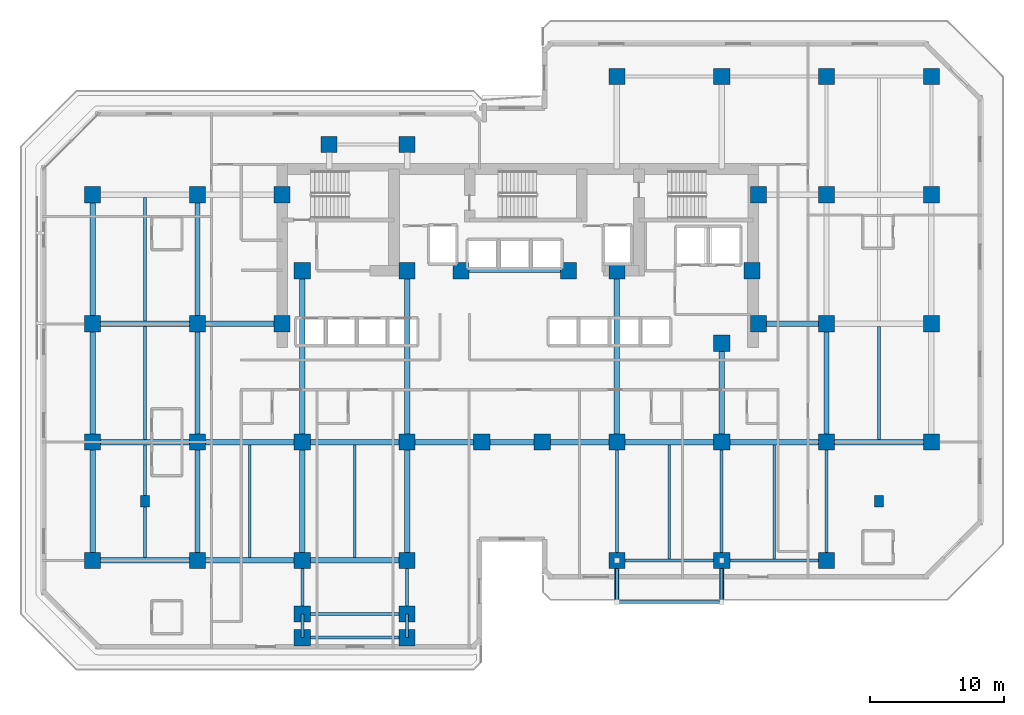
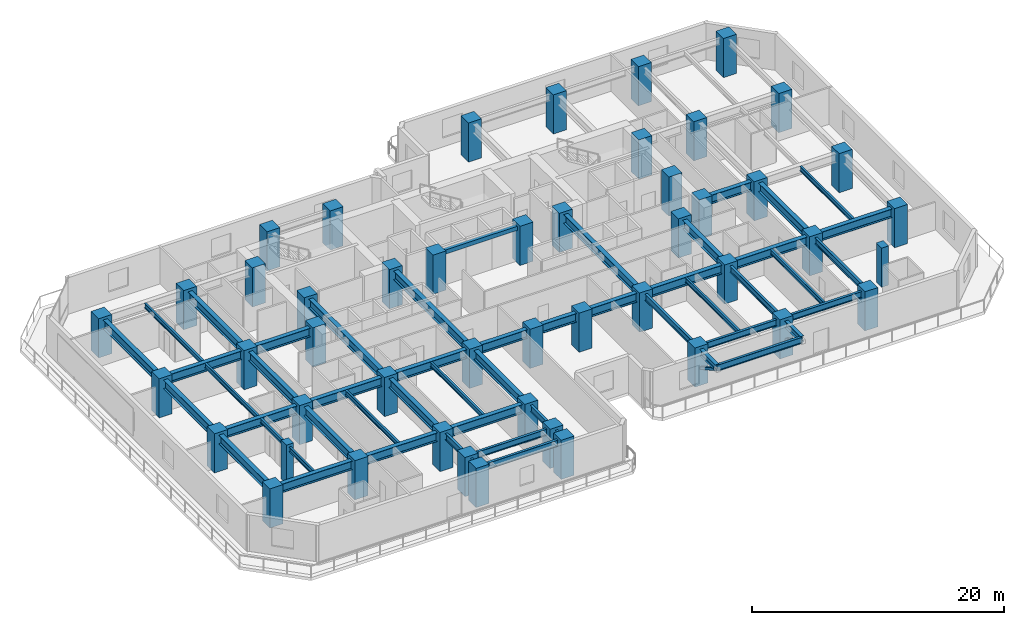
# One storey, part 1 of 12: 51 beams, 48 columns, 2 members.
"""IFC4 building model written with IfcOpenShell, lengths in metres."""

from ifc_helpers import new_model, si_unit, direction, frame, origin, origin_2d, place, context, subcontext, project, spatial, rectangle, hollow_rectangle, i_section, extrude, material, material_profile, profile_set, type_object, element, save


model = new_model("IFC4")

# Units and contexts
model_context = context("Model", 3, precision=1e-05, world=origin(), true_north=direction((0.0, 1.0)))
body_context = subcontext(model_context, "Body", "Model", "MODEL_VIEW")
ifc_project = project(units=[si_unit("LENGTHUNIT", "METRE"), si_unit("AREAUNIT", "SQUARE_METRE"), si_unit("VOLUMEUNIT", "CUBIC_METRE"), si_unit("PLANEANGLEUNIT", "RADIAN"), si_unit("MASSUNIT", "GRAM", prefix="KILO")], contexts=[model_context])

# Site, building, storey
site_placement = place(None, origin())
site = spatial("IfcSite", under=ifc_project, at=site_placement, CompositionType="ELEMENT")
building_placement = place(site_placement, origin())
building = spatial("IfcBuilding", under=site, at=building_placement, Name="Kestravale Grand Hotel", CompositionType="ELEMENT")
storey_placement = place(building_placement, frame((0.0, 0.0, 80.39990234375)))
storey = spatial("IfcBuildingStorey", under=building, at=storey_placement, Name="L19", CompositionType="ELEMENT", Elevation=80.39990234375)

# Columns
ifc_material_1 = material(Name="Precast concrete f'c 45 MPa", Category="concrete")
ifc_material_profile_1 = material_profile(ifc_material_1, rectangle(XDim=0.64990234375, YDim=0.85009765625, at=origin_2d()))
ifc_profile_set_1 = profile_set([ifc_material_profile_1], Name="Precast concrete f'c 45 MPa")
column_type_1 = type_object("IfcColumnType", Name="C-Z1-PIL850", PredefinedType="PILASTER", material=ifc_profile_set_1)
for number, where, z_axis, x_axis, name in (
    (1, (11.699951171875, 15.60009765625, 0.0), (0.0, 0.0, 1.0), (1.0, 0.0, 0.0), "L19 Art Deco fluted pilaster P1"),
    (2, (66.300048828125, 15.60009765625, 0.0), (0.0, 0.0, 1.0), (1.0, 0.0, 0.0), "L19 Art Deco fluted pilaster P2"),
):
    element("IfcColumn", number, at=place(storey_placement, frame(where, z_axis=z_axis, x_axis=x_axis)), inside=storey, type_object=column_type_1, Name=name, PredefinedType="PILASTER", context=body_context, shape_type="SweptSolid", body=[
        extrude(rectangle(XDim=0.64990234375, YDim=0.85009765625, at=origin_2d()), origin(), (0.0, 0.0, 1.0), 3.800048828125),
    ])
ifc_material_2 = material(Name="Concrete f'c 60 MPa", Category="concrete")
ifc_material_profile_2 = material_profile(ifc_material_2, rectangle(XDim=1.199951171875, YDim=1.199951171875, at=origin_2d()))
ifc_profile_set_2 = profile_set([ifc_material_profile_2], Name="Concrete f'c 60 MPa")
column_type_2 = type_object("IfcColumnType", Name="C-Z2-1200", PredefinedType="COLUMN", material=ifc_profile_set_2)
for number, where, z_axis, x_axis, name in (
    (3, (7.800048828125, 11.199951171875, 0.0), (0.0, 0.0, 1.0), (1.0, 0.0, 0.0), "L19 column 2-C"),
    (4, (7.800048828125, 20.0, 0.0), (0.0, 0.0, 1.0), (1.0, 0.0, 0.0), "L19 column 2-D"),
    (5, (7.800048828125, 28.800048828125, 0.0), (0.0, 0.0, 1.0), (1.0, 0.0, 0.0), "L19 column 2-E"),
    (6, (7.800048828125, 38.39990234375, 0.0), (0.0, 0.0, 1.0), (1.0, 0.0, 0.0), "L19 column 2-F"),
    (7, (15.60009765625, 11.199951171875, 0.0), (0.0, 0.0, 1.0), (1.0, 0.0, 0.0), "L19 column 3-C"),
    (8, (15.60009765625, 20.0, 0.0), (0.0, 0.0, 1.0), (1.0, 0.0, 0.0), "L19 column 3-D"),
    (9, (15.60009765625, 28.800048828125, 0.0), (0.0, 0.0, 1.0), (1.0, 0.0, 0.0), "L19 column 3-E"),
    (10, (15.60009765625, 38.39990234375, 0.0), (0.0, 0.0, 1.0), (1.0, 0.0, 0.0), "L19 column 3-F"),
    (11, (23.39990234375, 11.199951171875, 0.0), (0.0, 0.0, 1.0), (1.0, 0.0, 0.0), "L19 column 4-C"),
    (12, (23.39990234375, 20.0, 0.0), (0.0, 0.0, 1.0), (1.0, 0.0, 0.0), "L19 column 4-D"),
    (13, (31.199951171875, 11.199951171875, 0.0), (0.0, 0.0, 1.0), (1.0, 0.0, 0.0), "L19 column 5-C"),
    (14, (31.199951171875, 20.0, 0.0), (0.0, 0.0, 1.0), (1.0, 0.0, 0.0), "L19 column 5-D"),
    (15, (36.75, 20.0, 0.0), (0.0, 0.0, 1.0), (1.0, 0.0, 0.0), "L19 column 6-D"),
    (16, (41.25, 20.0, 0.0), (0.0, 0.0, 1.0), (1.0, 0.0, 0.0), "L19 column 7-D"),
    (17, (46.800048828125, 11.199951171875, 0.0), (0.0, 0.0, 1.0), (1.0, 0.0, 0.0), "L19 column 8-C"),
    (18, (46.800048828125, 20.0, 0.0), (0.0, 0.0, 1.0), (1.0, 0.0, 0.0), "L19 column 8-D"),
    (19, (46.800048828125, 47.199951171875, 0.0), (0.0, 0.0, 1.0), (1.0, 0.0, 0.0), "L19 column 8-G"),
    (20, (54.60009765625, 11.199951171875, 0.0), (0.0, 0.0, 1.0), (1.0, 0.0, 0.0), "L19 column 9-C"),
    (21, (54.60009765625, 20.0, 0.0), (0.0, 0.0, 1.0), (1.0, 0.0, 0.0), "L19 column 9-D"),
    (22, (54.60009765625, 47.199951171875, 0.0), (0.0, 0.0, 1.0), (1.0, 0.0, 0.0), "L19 column 9-G"),
    (23, (62.39990234375, 11.199951171875, 0.0), (0.0, 0.0, 1.0), (1.0, 0.0, 0.0), "L19 column 10-C"),
    (24, (62.39990234375, 20.0, 0.0), (0.0, 0.0, 1.0), (1.0, 0.0, 0.0), "L19 column 10-D"),
    (25, (62.39990234375, 28.800048828125, 0.0), (0.0, 0.0, 1.0), (1.0, 0.0, 0.0), "L19 column 10-E"),
    (26, (62.39990234375, 38.39990234375, 0.0), (0.0, 0.0, 1.0), (1.0, 0.0, 0.0), "L19 column 10-F"),
    (27, (62.39990234375, 47.199951171875, 0.0), (0.0, 0.0, 1.0), (1.0, 0.0, 0.0), "L19 column 10-G"),
    (28, (70.199951171875, 20.0, 0.0), (0.0, 0.0, 1.0), (1.0, 0.0, 0.0), "L19 column 11-D"),
    (29, (70.199951171875, 28.800048828125, 0.0), (0.0, 0.0, 1.0), (1.0, 0.0, 0.0), "L19 column 11-E"),
    (30, (70.199951171875, 38.39990234375, 0.0), (0.0, 0.0, 1.0), (1.0, 0.0, 0.0), "L19 column 11-F"),
    (31, (70.199951171875, 47.199951171875, 0.0), (0.0, 0.0, 1.0), (1.0, 0.0, 0.0), "L19 column 11-G"),
    (32, (21.89990234375, 28.800048828125, 0.0), (0.0, 0.0, 1.0), (1.0, 0.0, 0.0), "L19 column CW-E"),
    (33, (21.89990234375, 38.39990234375, 0.0), (0.0, 0.0, 1.0), (1.0, 0.0, 0.0), "L19 column CW-F"),
    (34, (57.35009765625, 28.800048828125, 0.0), (0.0, 0.0, 1.0), (1.0, 0.0, 0.0), "L19 column CE-E"),
    (35, (57.35009765625, 38.39990234375, 0.0), (0.0, 0.0, 1.0), (1.0, 0.0, 0.0), "L19 column CE-F"),
    (36, (23.39990234375, 32.75, 0.0), (0.0, 0.0, 1.0), (1.0, 0.0, 0.0), "L19 column 4-CS"),
    (37, (31.199951171875, 32.75, 0.0), (0.0, 0.0, 1.0), (1.0, 0.0, 0.0), "L19 column 5-CS"),
    (38, (35.199951171875, 32.75, 0.0), (0.0, 0.0, 1.0), (1.0, 0.0, 0.0), "L19 column 6C-CS"),
    (39, (43.199951171875, 32.75, 0.0), (0.0, 0.0, 1.0), (1.0, 0.0, 0.0), "L19 column 7C-CS"),
    (40, (46.800048828125, 32.75, 0.0), (0.0, 0.0, 1.0), (1.0, 0.0, 0.0), "L19 column 8-CS"),
    (41, (54.60009765625, 27.35009765625, 0.0), (0.0, 0.0, 1.0), (1.0, 0.0, 0.0), "L19 column 9-CS"),
    (42, (56.85009765625, 32.75, 0.0), (0.0, 0.0, 1.0), (1.0, 0.0, 0.0), "L19 column 9C-CS"),
    (43, (23.39990234375, 7.199951171875, 0.0), (0.0, 0.0, 1.0), (1.0, 0.0, 0.0), "L19 column 4-BS"),
    (44, (31.199951171875, 7.199951171875, 0.0), (0.0, 0.0, 1.0), (1.0, 0.0, 0.0), "L19 column 5-BS"),
    (45, (25.39990234375, 42.14990234375, 0.0), (0.0, 0.0, 1.0), (1.0, 0.0, 0.0), "L19 column 4-FN"),
    (46, (31.199951171875, 42.14990234375, 0.0), (0.0, 0.0, 1.0), (1.0, 0.0, 0.0), "L19 column 5-FN"),
    (47, (23.39990234375, 5.449951171875, 0.0), (0.0, 0.0, 1.0), (1.0, 0.0, 0.0), "L19 column 4-B1S"),
    (48, (31.199951171875, 5.449951171875, 0.0), (0.0, 0.0, 1.0), (1.0, 0.0, 0.0), "L19 column 5-B1S"),
):
    element("IfcColumn", number, at=place(storey_placement, frame(where, z_axis=z_axis, x_axis=x_axis)), inside=storey, type_object=column_type_2, Name=name, PredefinedType="COLUMN", context=body_context, shape_type="SweptSolid", body=[
        extrude(rectangle(XDim=1.199951171875, YDim=1.199951171875, at=origin_2d()), origin(), (0.0, 0.0, 1.0), 3.800048828125),
    ])

# Beams
ifc_material_3 = material(Name="Steel ASTM A992 Grade 50", Category="steel")
ifc_material_profile_3 = material_profile(ifc_material_3, i_section(OverallWidth=0.19091796875, OverallDepth=0.45703125, WebThickness=0.009033203125, FlangeThickness=0.014404296875, FilletRadius=0.015380859375, at=origin_2d()))
ifc_profile_set_3 = profile_set([ifc_material_profile_3], Name="Steel ASTM A992 Grade 50")
beam_type_1 = type_object("IfcBeamType", Name="B-FLR-JST18", PredefinedType="JOIST", material=ifc_profile_set_3)
for number, where, z_axis, x_axis, name in (
    (49, (11.699951171875, 11.400390625, 3.3115234375), (0.0, 1.0, 0.0), (-1.0, 0.0, 0.0), "L19 floor joist 2-3/C-D #1"),
    (50, (11.699951171875, 20.200439453125, 3.3115234375), (0.0, 1.0, 0.0), (-1.0, 0.0, 0.0), "L19 floor joist 2-3/D-E #1"),
):
    element("IfcBeam", number, at=place(storey_placement, frame(where, z_axis=z_axis, x_axis=x_axis)), inside=storey, type_object=beam_type_1, Name=name, PredefinedType="JOIST", context=body_context, shape_type="SweptSolid", body=[
        extrude(i_section(OverallWidth=0.19091796875, OverallDepth=0.45703125, WebThickness=0.009033203125, FlangeThickness=0.014404296875, FilletRadius=0.015380859375, at=origin_2d()), origin(), (0.0, 0.0, 1.0), 8.399169921875),
    ])
beam_1_placement = place(storey_placement, frame((11.699951171875, 29.00048828125, 3.3115234375), z_axis=(0.0, 1.0, 0.0), x_axis=(-1.0, 0.0, 0.0)))
element("IfcBeam", 51, at=beam_1_placement, inside=storey, type_object=beam_type_1, Name="L19 floor joist 2-3/E-F #1", PredefinedType="JOIST", context=body_context, shape_type="SweptSolid", body=[
    extrude(i_section(OverallWidth=0.19091796875, OverallDepth=0.45703125, WebThickness=0.009033203125, FlangeThickness=0.014404296875, FilletRadius=0.015380859375, at=origin_2d()), origin(), (0.0, 0.0, 1.0), 9.198974609375),
])
for number, where, z_axis, x_axis, name in (
    (52, (19.5, 11.400390625, 3.3115234375), (0.0, 1.0, 0.0), (-1.0, 0.0, 0.0), "L19 floor joist 3-4/C-D #1"),
    (53, (27.300048828125, 11.400390625, 3.3115234375), (0.0, 1.0, 0.0), (-1.0, 0.0, 0.0), "L19 floor joist 4-5/C-D #1"),
):
    element("IfcBeam", number, at=place(storey_placement, frame(where, z_axis=z_axis, x_axis=x_axis)), inside=storey, type_object=beam_type_1, Name=name, PredefinedType="JOIST", context=body_context, shape_type="SweptSolid", body=[
        extrude(i_section(OverallWidth=0.19091796875, OverallDepth=0.45703125, WebThickness=0.009033203125, FlangeThickness=0.014404296875, FilletRadius=0.015380859375, at=origin_2d()), origin(), (0.0, 0.0, 1.0), 8.399169921875),
    ])
for number, where, z_axis, x_axis, name in (
    (54, (50.699951171875, 11.314453125, 3.3115234375), (0.0, 1.0, 0.0), (-1.0, 0.0, 0.0), "L19 floor joist 8-9/C-D #1"),
    (55, (58.5, 11.314453125, 3.3115234375), (0.0, 1.0, 0.0), (-1.0, 0.0, 0.0), "L19 floor joist 9-10/C-D #1"),
):
    element("IfcBeam", number, at=place(storey_placement, frame(where, z_axis=z_axis, x_axis=x_axis)), inside=storey, type_object=beam_type_1, Name=name, PredefinedType="JOIST", context=body_context, shape_type="SweptSolid", body=[
        extrude(i_section(OverallWidth=0.19091796875, OverallDepth=0.45703125, WebThickness=0.009033203125, FlangeThickness=0.014404296875, FilletRadius=0.015380859375, at=origin_2d()), origin(), (0.0, 0.0, 1.0), 8.485107421875),
    ])
beam_2_placement = place(storey_placement, frame((66.300048828125, 20.200439453125, 3.3115234375), z_axis=(0.0, 1.0, 0.0), x_axis=(-1.0, 0.0, 0.0)))
element("IfcBeam", 56, at=beam_2_placement, inside=storey, type_object=beam_type_1, Name="L19 floor joist 10-11/D-E #1", PredefinedType="JOIST", context=body_context, shape_type="SweptSolid", body=[
    extrude(i_section(OverallWidth=0.19091796875, OverallDepth=0.45703125, WebThickness=0.009033203125, FlangeThickness=0.014404296875, FilletRadius=0.015380859375, at=origin_2d()), origin(), (0.0, 0.0, 1.0), 8.399169921875),
])
ifc_material_4 = material(Name="Concrete f'c 45 MPa", Category="concrete")
ifc_material_profile_4 = material_profile(ifc_material_4, rectangle(XDim=0.300048828125, YDim=0.39990234375, at=origin_2d()))
ifc_profile_set_4 = profile_set([ifc_material_profile_4], Name="Concrete f'c 45 MPa")
beam_type_2 = type_object("IfcBeamType", Name="B-FLR-LNT400", PredefinedType="LINTEL", material=ifc_profile_set_4)
beam_3_placement = place(storey_placement, frame((35.199951171875, 32.75, 3.340087890625), z_axis=(1.0, 0.0, 0.0), x_axis=(0.0, 1.0, 0.0)))
element("IfcBeam", 57, at=beam_3_placement, inside=storey, type_object=beam_type_2, Name="L19 core portal header lintel", PredefinedType="LINTEL", context=body_context, shape_type="SweptSolid", body=[
    extrude(rectangle(XDim=0.300048828125, YDim=0.39990234375, at=origin_2d()), origin(), (0.0, 0.0, 1.0), 8.0),
])
ifc_material_5 = material(Name="Steel ASTM A992 Grade 50", Category="steel")
ifc_material_profile_5 = material_profile(ifc_material_5, i_section(OverallWidth=0.324951171875, OverallDepth=0.612060546875, WebThickness=0.0126953125, FlangeThickness=0.01904296875, FilletRadius=0.018798828125, at=origin_2d()))
ifc_profile_set_5 = profile_set([ifc_material_profile_5], Name="Steel ASTM A992 Grade 50")
beam_type_3 = type_object("IfcBeamType", Name="B-FLR-W24A", PredefinedType="SPANDREL", material=ifc_profile_set_5)
for number, where, z_axis, x_axis, name in (
    (58, (46.800048828125, 11.199951171875, 3.22412109375), (0.0, -1.0, 0.0), (1.0, 0.0, 0.0), "L20 terrace cantilever beam 1"),
    (59, (54.60009765625, 11.199951171875, 3.22412109375), (0.0, -1.0, 0.0), (1.0, 0.0, 0.0), "L20 terrace cantilever beam 2"),
):
    element("IfcBeam", number, at=place(storey_placement, frame(where, z_axis=z_axis, x_axis=x_axis)), inside=storey, type_object=beam_type_3, Name=name, PredefinedType="SPANDREL", context=body_context, shape_type="SweptSolid", body=[
        extrude(i_section(OverallWidth=0.324951171875, OverallDepth=0.612060546875, WebThickness=0.0126953125, FlangeThickness=0.01904296875, FilletRadius=0.018798828125, at=origin_2d()), origin(), (0.0, 0.0, 1.0), 3.099853515625),
    ])
ifc_material_6 = material(Name="Steel ASTM A992 Grade 50", Category="steel")
ifc_material_profile_6 = material_profile(ifc_material_6, i_section(OverallWidth=0.22900390625, OverallDepth=0.612060546875, WebThickness=0.011962890625, FlangeThickness=0.01953125, FilletRadius=0.019287109375, at=origin_2d()))
ifc_profile_set_6 = profile_set([ifc_material_profile_6], Name="Steel ASTM A992 Grade 50")
beam_type_4 = type_object("IfcBeamType", Name="B-FLR-W24B", PredefinedType="SPANDREL", material=ifc_profile_set_6)
beam_4_placement = place(storey_placement, frame((46.800048828125, 11.199951171875, 3.234130859375), z_axis=(1.0, 0.0, 0.0), x_axis=(0.0, 1.0, 0.0)))
element("IfcBeam", 60, at=beam_4_placement, inside=storey, type_object=beam_type_4, Name="L19 spandrel C:8-9", PredefinedType="SPANDREL", context=body_context, shape_type="SweptSolid", body=[
    extrude(i_section(OverallWidth=0.22900390625, OverallDepth=0.612060546875, WebThickness=0.011962890625, FlangeThickness=0.01953125, FilletRadius=0.019287109375, at=origin_2d()), origin(), (0.0, 0.0, 1.0), 7.800048828125),
])
beam_5_placement = place(storey_placement, frame((54.60009765625, 11.199951171875, 3.234130859375), z_axis=(1.0, 0.0, 0.0), x_axis=(0.0, 1.0, 0.0)))
element("IfcBeam", 61, at=beam_5_placement, inside=storey, type_object=beam_type_4, Name="L19 spandrel C:9-10", PredefinedType="SPANDREL", context=body_context, shape_type="SweptSolid", body=[
    extrude(i_section(OverallWidth=0.22900390625, OverallDepth=0.612060546875, WebThickness=0.011962890625, FlangeThickness=0.01953125, FilletRadius=0.019287109375, at=origin_2d()), origin(), (0.0, 0.0, 1.0), 7.7998046875),
])
for number, where, z_axis, x_axis, name in (
    (62, (23.39990234375, 5.449951171875, 3.234130859375), (1.0, 0.0, 0.0), (0.0, 1.0, 0.0), "L19 perimeter tie spandrel B1S:4-5"),
    (63, (23.39990234375, 7.199951171875, 3.234130859375), (1.0, 0.0, 0.0), (0.0, 1.0, 0.0), "L19 perimeter tie spandrel BS:4-5"),
):
    element("IfcBeam", number, at=place(storey_placement, frame(where, z_axis=z_axis, x_axis=x_axis)), inside=storey, type_object=beam_type_4, Name=name, PredefinedType="SPANDREL", context=body_context, shape_type="SweptSolid", body=[
        extrude(i_section(OverallWidth=0.22900390625, OverallDepth=0.612060546875, WebThickness=0.011962890625, FlangeThickness=0.01953125, FilletRadius=0.019287109375, at=origin_2d()), origin(), (0.0, 0.0, 1.0), 7.800048828125),
    ])
beam_6_placement = place(storey_placement, frame((23.39990234375, 5.449951171875, 3.234130859375), z_axis=(0.0, 1.0, 0.0), x_axis=(-1.0, 0.0, 0.0)))
element("IfcBeam", 64, at=beam_6_placement, inside=storey, type_object=beam_type_4, Name="L19 spandrel 4:B1S-BS", PredefinedType="SPANDREL", context=body_context, shape_type="SweptSolid", body=[
    extrude(i_section(OverallWidth=0.22900390625, OverallDepth=0.612060546875, WebThickness=0.011962890625, FlangeThickness=0.01953125, FilletRadius=0.019287109375, at=origin_2d()), origin(), (0.0, 0.0, 1.0), 1.75),
])
beam_7_placement = place(storey_placement, frame((23.39990234375, 7.199951171875, 3.234130859375), z_axis=(0.0, 1.0, 0.0), x_axis=(-1.0, 0.0, 0.0)))
element("IfcBeam", 65, at=beam_7_placement, inside=storey, type_object=beam_type_4, Name="L19 spandrel 4:BS-C", PredefinedType="SPANDREL", context=body_context, shape_type="SweptSolid", body=[
    extrude(i_section(OverallWidth=0.22900390625, OverallDepth=0.612060546875, WebThickness=0.011962890625, FlangeThickness=0.01953125, FilletRadius=0.019287109375, at=origin_2d()), origin(), (0.0, 0.0, 1.0), 4.0),
])
beam_8_placement = place(storey_placement, frame((31.199951171875, 5.449951171875, 3.234130859375), z_axis=(0.0, 1.0, 0.0), x_axis=(-1.0, 0.0, 0.0)))
element("IfcBeam", 66, at=beam_8_placement, inside=storey, type_object=beam_type_4, Name="L19 spandrel 5:B1S-BS", PredefinedType="SPANDREL", context=body_context, shape_type="SweptSolid", body=[
    extrude(i_section(OverallWidth=0.22900390625, OverallDepth=0.612060546875, WebThickness=0.011962890625, FlangeThickness=0.01953125, FilletRadius=0.019287109375, at=origin_2d()), origin(), (0.0, 0.0, 1.0), 1.75),
])
beam_9_placement = place(storey_placement, frame((31.199951171875, 7.199951171875, 3.234130859375), z_axis=(0.0, 1.0, 0.0), x_axis=(-1.0, 0.0, 0.0)))
element("IfcBeam", 67, at=beam_9_placement, inside=storey, type_object=beam_type_4, Name="L19 spandrel 5:BS-C", PredefinedType="SPANDREL", context=body_context, shape_type="SweptSolid", body=[
    extrude(i_section(OverallWidth=0.22900390625, OverallDepth=0.612060546875, WebThickness=0.011962890625, FlangeThickness=0.01953125, FilletRadius=0.019287109375, at=origin_2d()), origin(), (0.0, 0.0, 1.0), 4.0),
])
for number, where, z_axis, x_axis, name in (
    (68, (46.800048828125, 11.199951171875, 3.234130859375), (0.0, 1.0, 0.0), (-1.0, 0.0, 0.0), "L19 spandrel 8:C-D"),
    (69, (54.60009765625, 11.199951171875, 3.234130859375), (0.0, 1.0, 0.0), (-1.0, 0.0, 0.0), "L19 spandrel 9:C-D"),
    (70, (62.39990234375, 11.199951171875, 3.234130859375), (0.0, 1.0, 0.0), (-1.0, 0.0, 0.0), "L19 spandrel 10:C-D"),
):
    element("IfcBeam", number, at=place(storey_placement, frame(where, z_axis=z_axis, x_axis=x_axis)), inside=storey, type_object=beam_type_4, Name=name, PredefinedType="SPANDREL", context=body_context, shape_type="SweptSolid", body=[
        extrude(i_section(OverallWidth=0.22900390625, OverallDepth=0.612060546875, WebThickness=0.011962890625, FlangeThickness=0.01953125, FilletRadius=0.019287109375, at=origin_2d()), origin(), (0.0, 0.0, 1.0), 8.800048828125),
    ])
beam_10_placement = place(storey_placement, frame((46.800048828125, 8.10009765625, 3.22412109375), z_axis=(1.0, 0.0, 0.0), x_axis=(0.0, 1.0, 0.0)))
element("IfcBeam", 71, at=beam_10_placement, inside=storey, type_object=beam_type_4, Name="L20 terrace edge spandrel", PredefinedType="SPANDREL", context=body_context, shape_type="SweptSolid", body=[
    extrude(i_section(OverallWidth=0.22900390625, OverallDepth=0.612060546875, WebThickness=0.011962890625, FlangeThickness=0.01953125, FilletRadius=0.019287109375, at=origin_2d()), origin(), (0.0, 0.0, 1.0), 7.800048828125),
])
ifc_material_7 = material(Name="Steel ASTM A992 Grade 50", Category="steel")
ifc_material_profile_7 = material_profile(ifc_material_7, i_section(OverallWidth=0.40087890625, OverallDepth=0.861083984375, WebThickness=0.019775390625, FlangeThickness=0.032470703125, FilletRadius=0.0234375, at=origin_2d()))
ifc_profile_set_7 = profile_set([ifc_material_profile_7], Name="Steel ASTM A992 Grade 50")
beam_type_5 = type_object("IfcBeamType", Name="B-GRD-W33", PredefinedType="BEAM", material=ifc_profile_set_7)
beam_11_placement = place(storey_placement, frame((7.800048828125, 11.199951171875, 3.109619140625), z_axis=(1.0, 0.0, 0.0), x_axis=(0.0, 1.0, 0.0)))
element("IfcBeam", 72, at=beam_11_placement, inside=storey, type_object=beam_type_5, Name="L19 girder C:2-3", PredefinedType="BEAM", context=body_context, shape_type="SweptSolid", body=[
    extrude(i_section(OverallWidth=0.40087890625, OverallDepth=0.861083984375, WebThickness=0.019775390625, FlangeThickness=0.032470703125, FilletRadius=0.0234375, at=origin_2d()), origin(), (0.0, 0.0, 1.0), 7.800048828125),
])
beam_12_placement = place(storey_placement, frame((15.60009765625, 11.199951171875, 3.109619140625), z_axis=(1.0, 0.0, 0.0), x_axis=(0.0, 1.0, 0.0)))
element("IfcBeam", 73, at=beam_12_placement, inside=storey, type_object=beam_type_5, Name="L19 girder C:3-4", PredefinedType="BEAM", context=body_context, shape_type="SweptSolid", body=[
    extrude(i_section(OverallWidth=0.40087890625, OverallDepth=0.861083984375, WebThickness=0.019775390625, FlangeThickness=0.032470703125, FilletRadius=0.0234375, at=origin_2d()), origin(), (0.0, 0.0, 1.0), 7.7998046875),
])
for number, where, z_axis, x_axis, name in (
    (74, (23.39990234375, 11.199951171875, 3.109619140625), (1.0, 0.0, 0.0), (0.0, 1.0, 0.0), "L19 girder C:4-5"),
    (75, (7.800048828125, 20.0, 3.109619140625), (1.0, 0.0, 0.0), (0.0, 1.0, 0.0), "L19 girder D:2-3"),
):
    element("IfcBeam", number, at=place(storey_placement, frame(where, z_axis=z_axis, x_axis=x_axis)), inside=storey, type_object=beam_type_5, Name=name, PredefinedType="BEAM", context=body_context, shape_type="SweptSolid", body=[
        extrude(i_section(OverallWidth=0.40087890625, OverallDepth=0.861083984375, WebThickness=0.019775390625, FlangeThickness=0.032470703125, FilletRadius=0.0234375, at=origin_2d()), origin(), (0.0, 0.0, 1.0), 7.800048828125),
    ])
beam_13_placement = place(storey_placement, frame((15.60009765625, 20.0, 3.109619140625), z_axis=(1.0, 0.0, 0.0), x_axis=(0.0, 1.0, 0.0)))
element("IfcBeam", 76, at=beam_13_placement, inside=storey, type_object=beam_type_5, Name="L19 girder D:3-4", PredefinedType="BEAM", context=body_context, shape_type="SweptSolid", body=[
    extrude(i_section(OverallWidth=0.40087890625, OverallDepth=0.861083984375, WebThickness=0.019775390625, FlangeThickness=0.032470703125, FilletRadius=0.0234375, at=origin_2d()), origin(), (0.0, 0.0, 1.0), 7.7998046875),
])
beam_14_placement = place(storey_placement, frame((23.39990234375, 20.0, 3.109619140625), z_axis=(1.0, 0.0, 0.0), x_axis=(0.0, 1.0, 0.0)))
element("IfcBeam", 77, at=beam_14_placement, inside=storey, type_object=beam_type_5, Name="L19 girder D:4-5", PredefinedType="BEAM", context=body_context, shape_type="SweptSolid", body=[
    extrude(i_section(OverallWidth=0.40087890625, OverallDepth=0.861083984375, WebThickness=0.019775390625, FlangeThickness=0.032470703125, FilletRadius=0.0234375, at=origin_2d()), origin(), (0.0, 0.0, 1.0), 7.800048828125),
])
beam_15_placement = place(storey_placement, frame((31.199951171875, 20.0, 3.109619140625), z_axis=(1.0, 0.0, 0.0), x_axis=(0.0, 1.0, 0.0)))
element("IfcBeam", 78, at=beam_15_placement, inside=storey, type_object=beam_type_5, Name="L19 girder D:5-6", PredefinedType="BEAM", context=body_context, shape_type="SweptSolid", body=[
    extrude(i_section(OverallWidth=0.40087890625, OverallDepth=0.861083984375, WebThickness=0.019775390625, FlangeThickness=0.032470703125, FilletRadius=0.0234375, at=origin_2d()), origin(), (0.0, 0.0, 1.0), 5.550048828125),
])
beam_16_placement = place(storey_placement, frame((36.75, 20.0, 3.109619140625), z_axis=(1.0, 0.0, 0.0), x_axis=(0.0, 1.0, 0.0)))
element("IfcBeam", 79, at=beam_16_placement, inside=storey, type_object=beam_type_5, Name="L19 girder D:6-7", PredefinedType="BEAM", context=body_context, shape_type="SweptSolid", body=[
    extrude(i_section(OverallWidth=0.40087890625, OverallDepth=0.861083984375, WebThickness=0.019775390625, FlangeThickness=0.032470703125, FilletRadius=0.0234375, at=origin_2d()), origin(), (0.0, 0.0, 1.0), 4.5),
])
beam_17_placement = place(storey_placement, frame((41.25, 20.0, 3.109619140625), z_axis=(1.0, 0.0, 0.0), x_axis=(0.0, 1.0, 0.0)))
element("IfcBeam", 80, at=beam_17_placement, inside=storey, type_object=beam_type_5, Name="L19 girder D:7-8", PredefinedType="BEAM", context=body_context, shape_type="SweptSolid", body=[
    extrude(i_section(OverallWidth=0.40087890625, OverallDepth=0.861083984375, WebThickness=0.019775390625, FlangeThickness=0.032470703125, FilletRadius=0.0234375, at=origin_2d()), origin(), (0.0, 0.0, 1.0), 5.550048828125),
])
beam_18_placement = place(storey_placement, frame((46.800048828125, 20.0, 3.109619140625), z_axis=(1.0, 0.0, 0.0), x_axis=(0.0, 1.0, 0.0)))
element("IfcBeam", 81, at=beam_18_placement, inside=storey, type_object=beam_type_5, Name="L19 girder D:8-9", PredefinedType="BEAM", context=body_context, shape_type="SweptSolid", body=[
    extrude(i_section(OverallWidth=0.40087890625, OverallDepth=0.861083984375, WebThickness=0.019775390625, FlangeThickness=0.032470703125, FilletRadius=0.0234375, at=origin_2d()), origin(), (0.0, 0.0, 1.0), 7.800048828125),
])
beam_19_placement = place(storey_placement, frame((54.60009765625, 20.0, 3.109619140625), z_axis=(1.0, 0.0, 0.0), x_axis=(0.0, 1.0, 0.0)))
element("IfcBeam", 82, at=beam_19_placement, inside=storey, type_object=beam_type_5, Name="L19 girder D:9-10", PredefinedType="BEAM", context=body_context, shape_type="SweptSolid", body=[
    extrude(i_section(OverallWidth=0.40087890625, OverallDepth=0.861083984375, WebThickness=0.019775390625, FlangeThickness=0.032470703125, FilletRadius=0.0234375, at=origin_2d()), origin(), (0.0, 0.0, 1.0), 7.7998046875),
])
for number, where, z_axis, x_axis, name in (
    (83, (62.39990234375, 20.0, 3.109619140625), (1.0, 0.0, 0.0), (0.0, 1.0, 0.0), "L19 girder D:10-11"),
    (84, (7.800048828125, 28.800048828125, 3.109619140625), (1.0, 0.0, 0.0), (0.0, 1.0, 0.0), "L19 girder E:2-3"),
):
    element("IfcBeam", number, at=place(storey_placement, frame(where, z_axis=z_axis, x_axis=x_axis)), inside=storey, type_object=beam_type_5, Name=name, PredefinedType="BEAM", context=body_context, shape_type="SweptSolid", body=[
        extrude(i_section(OverallWidth=0.40087890625, OverallDepth=0.861083984375, WebThickness=0.019775390625, FlangeThickness=0.032470703125, FilletRadius=0.0234375, at=origin_2d()), origin(), (0.0, 0.0, 1.0), 7.800048828125),
    ])
beam_20_placement = place(storey_placement, frame((15.60009765625, 28.800048828125, 3.109619140625), z_axis=(1.0, 0.0, 0.0), x_axis=(0.0, 1.0, 0.0)))
element("IfcBeam", 85, at=beam_20_placement, inside=storey, type_object=beam_type_5, Name="L19 girder E:3-CW", PredefinedType="BEAM", context=body_context, shape_type="SweptSolid", body=[
    extrude(i_section(OverallWidth=0.40087890625, OverallDepth=0.861083984375, WebThickness=0.019775390625, FlangeThickness=0.032470703125, FilletRadius=0.0234375, at=origin_2d()), origin(), (0.0, 0.0, 1.0), 6.2998046875),
])
beam_21_placement = place(storey_placement, frame((57.35009765625, 28.800048828125, 3.109619140625), z_axis=(1.0, 0.0, 0.0), x_axis=(0.0, 1.0, 0.0)))
element("IfcBeam", 86, at=beam_21_placement, inside=storey, type_object=beam_type_5, Name="L19 girder E:CE-10", PredefinedType="BEAM", context=body_context, shape_type="SweptSolid", body=[
    extrude(i_section(OverallWidth=0.40087890625, OverallDepth=0.861083984375, WebThickness=0.019775390625, FlangeThickness=0.032470703125, FilletRadius=0.0234375, at=origin_2d()), origin(), (0.0, 0.0, 1.0), 5.0498046875),
])
for number, where, z_axis, x_axis, name in (
    (87, (7.800048828125, 11.199951171875, 3.109619140625), (0.0, 1.0, 0.0), (-1.0, 0.0, 0.0), "L19 girder 2:C-D"),
    (88, (7.800048828125, 20.0, 3.109619140625), (0.0, 1.0, 0.0), (-1.0, 0.0, 0.0), "L19 girder 2:D-E"),
):
    element("IfcBeam", number, at=place(storey_placement, frame(where, z_axis=z_axis, x_axis=x_axis)), inside=storey, type_object=beam_type_5, Name=name, PredefinedType="BEAM", context=body_context, shape_type="SweptSolid", body=[
        extrude(i_section(OverallWidth=0.40087890625, OverallDepth=0.861083984375, WebThickness=0.019775390625, FlangeThickness=0.032470703125, FilletRadius=0.0234375, at=origin_2d()), origin(), (0.0, 0.0, 1.0), 8.800048828125),
    ])
beam_22_placement = place(storey_placement, frame((7.800048828125, 28.800048828125, 3.109619140625), z_axis=(0.0, 1.0, 0.0), x_axis=(-1.0, 0.0, 0.0)))
element("IfcBeam", 89, at=beam_22_placement, inside=storey, type_object=beam_type_5, Name="L19 girder 2:E-F", PredefinedType="BEAM", context=body_context, shape_type="SweptSolid", body=[
    extrude(i_section(OverallWidth=0.40087890625, OverallDepth=0.861083984375, WebThickness=0.019775390625, FlangeThickness=0.032470703125, FilletRadius=0.0234375, at=origin_2d()), origin(), (0.0, 0.0, 1.0), 9.599853515625),
])
for number, where, z_axis, x_axis, name in (
    (90, (15.60009765625, 11.199951171875, 3.109619140625), (0.0, 1.0, 0.0), (-1.0, 0.0, 0.0), "L19 girder 3:C-D"),
    (91, (15.60009765625, 20.0, 3.109619140625), (0.0, 1.0, 0.0), (-1.0, 0.0, 0.0), "L19 girder 3:D-E"),
):
    element("IfcBeam", number, at=place(storey_placement, frame(where, z_axis=z_axis, x_axis=x_axis)), inside=storey, type_object=beam_type_5, Name=name, PredefinedType="BEAM", context=body_context, shape_type="SweptSolid", body=[
        extrude(i_section(OverallWidth=0.40087890625, OverallDepth=0.861083984375, WebThickness=0.019775390625, FlangeThickness=0.032470703125, FilletRadius=0.0234375, at=origin_2d()), origin(), (0.0, 0.0, 1.0), 8.800048828125),
    ])
beam_23_placement = place(storey_placement, frame((15.60009765625, 28.800048828125, 3.109619140625), z_axis=(0.0, 1.0, 0.0), x_axis=(-1.0, 0.0, 0.0)))
element("IfcBeam", 92, at=beam_23_placement, inside=storey, type_object=beam_type_5, Name="L19 girder 3:E-F", PredefinedType="BEAM", context=body_context, shape_type="SweptSolid", body=[
    extrude(i_section(OverallWidth=0.40087890625, OverallDepth=0.861083984375, WebThickness=0.019775390625, FlangeThickness=0.032470703125, FilletRadius=0.0234375, at=origin_2d()), origin(), (0.0, 0.0, 1.0), 9.599853515625),
])
beam_24_placement = place(storey_placement, frame((23.39990234375, 11.199951171875, 3.109619140625), z_axis=(0.0, 1.0, 0.0), x_axis=(-1.0, 0.0, 0.0)))
element("IfcBeam", 93, at=beam_24_placement, inside=storey, type_object=beam_type_5, Name="L19 girder 4:C-D", PredefinedType="BEAM", context=body_context, shape_type="SweptSolid", body=[
    extrude(i_section(OverallWidth=0.40087890625, OverallDepth=0.861083984375, WebThickness=0.019775390625, FlangeThickness=0.032470703125, FilletRadius=0.0234375, at=origin_2d()), origin(), (0.0, 0.0, 1.0), 8.800048828125),
])
beam_25_placement = place(storey_placement, frame((23.39990234375, 20.0, 3.109619140625), z_axis=(0.0, 1.0, 0.0), x_axis=(-1.0, 0.0, 0.0)))
element("IfcBeam", 94, at=beam_25_placement, inside=storey, type_object=beam_type_5, Name="L19 girder 4:D-CS", PredefinedType="BEAM", context=body_context, shape_type="SweptSolid", body=[
    extrude(i_section(OverallWidth=0.40087890625, OverallDepth=0.861083984375, WebThickness=0.019775390625, FlangeThickness=0.032470703125, FilletRadius=0.0234375, at=origin_2d()), origin(), (0.0, 0.0, 1.0), 12.75),
])
beam_26_placement = place(storey_placement, frame((31.199951171875, 11.199951171875, 3.109619140625), z_axis=(0.0, 1.0, 0.0), x_axis=(-1.0, 0.0, 0.0)))
element("IfcBeam", 95, at=beam_26_placement, inside=storey, type_object=beam_type_5, Name="L19 girder 5:C-D", PredefinedType="BEAM", context=body_context, shape_type="SweptSolid", body=[
    extrude(i_section(OverallWidth=0.40087890625, OverallDepth=0.861083984375, WebThickness=0.019775390625, FlangeThickness=0.032470703125, FilletRadius=0.0234375, at=origin_2d()), origin(), (0.0, 0.0, 1.0), 8.800048828125),
])
for number, where, z_axis, x_axis, name in (
    (96, (31.199951171875, 20.0, 3.109619140625), (0.0, 1.0, 0.0), (-1.0, 0.0, 0.0), "L19 girder 5:D-CS"),
    (97, (46.800048828125, 20.0, 3.109619140625), (0.0, 1.0, 0.0), (-1.0, 0.0, 0.0), "L19 girder 8:D-CS"),
):
    element("IfcBeam", number, at=place(storey_placement, frame(where, z_axis=z_axis, x_axis=x_axis)), inside=storey, type_object=beam_type_5, Name=name, PredefinedType="BEAM", context=body_context, shape_type="SweptSolid", body=[
        extrude(i_section(OverallWidth=0.40087890625, OverallDepth=0.861083984375, WebThickness=0.019775390625, FlangeThickness=0.032470703125, FilletRadius=0.0234375, at=origin_2d()), origin(), (0.0, 0.0, 1.0), 12.75),
    ])
beam_27_placement = place(storey_placement, frame((54.60009765625, 20.0, 3.109619140625), z_axis=(0.0, 1.0, 0.0), x_axis=(-1.0, 0.0, 0.0)))
element("IfcBeam", 98, at=beam_27_placement, inside=storey, type_object=beam_type_5, Name="L19 girder 9:D-CS", PredefinedType="BEAM", context=body_context, shape_type="SweptSolid", body=[
    extrude(i_section(OverallWidth=0.40087890625, OverallDepth=0.861083984375, WebThickness=0.019775390625, FlangeThickness=0.032470703125, FilletRadius=0.0234375, at=origin_2d()), origin(), (0.0, 0.0, 1.0), 7.35009765625),
])
beam_28_placement = place(storey_placement, frame((62.39990234375, 20.0, 3.109619140625), z_axis=(0.0, 1.0, 0.0), x_axis=(-1.0, 0.0, 0.0)))
element("IfcBeam", 99, at=beam_28_placement, inside=storey, type_object=beam_type_5, Name="L19 girder 10:D-E", PredefinedType="BEAM", context=body_context, shape_type="SweptSolid", body=[
    extrude(i_section(OverallWidth=0.40087890625, OverallDepth=0.861083984375, WebThickness=0.019775390625, FlangeThickness=0.032470703125, FilletRadius=0.0234375, at=origin_2d()), origin(), (0.0, 0.0, 1.0), 8.800048828125),
])

# Members
ifc_material_8 = material(Name="Steel ASTM A500 Grade C", Category="steel")
ifc_material_profile_8 = material_profile(ifc_material_8, hollow_rectangle(XDim=0.25, YDim=0.25, WallThickness=0.011962890625, InnerFilletRadius=0.011962890625, OuterFilletRadius=0.02392578125, at=origin_2d()))
ifc_profile_set_8 = profile_set([ifc_material_profile_8], Name="Steel ASTM A500 Grade C")
member_type = type_object("IfcMemberType", Name="M-BLT-STR250", PredefinedType="STRUT", material=ifc_profile_set_8)
for number, where, z_axis, x_axis, name in (
    (100, (46.800048828125, 11.199951171875, 1.3740234375), (0.0, -0.876779536885, 0.480892549017), (1.0, 0.0, 0.0), "L20 terrace knee-brace strut 1"),
    (101, (54.60009765625, 11.199951171875, 1.3740234375), (0.0, -0.876779536885, 0.480892549017), (1.0, 0.0, 0.0), "L20 terrace knee-brace strut 2"),
):
    element("IfcMember", number, at=place(storey_placement, frame(where, z_axis=z_axis, x_axis=x_axis)), inside=storey, type_object=member_type, Name=name, PredefinedType="STRUT", context=body_context, shape_type="SweptSolid", body=[
        extrude(hollow_rectangle(XDim=0.25, YDim=0.25, WallThickness=0.011962890625, InnerFilletRadius=0.011962890625, OuterFilletRadius=0.02392578125, at=origin_2d()), origin(), (0.0, 0.0, 1.0), 3.535400390625),
    ])

save(model, "model.ifc")
